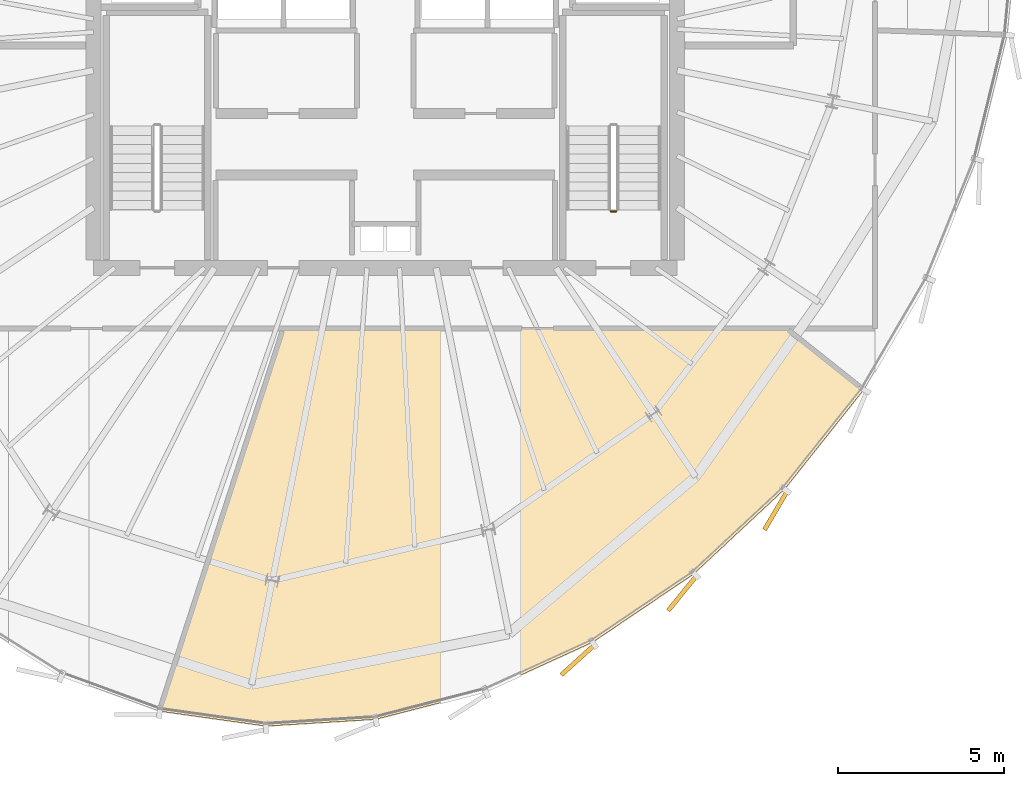
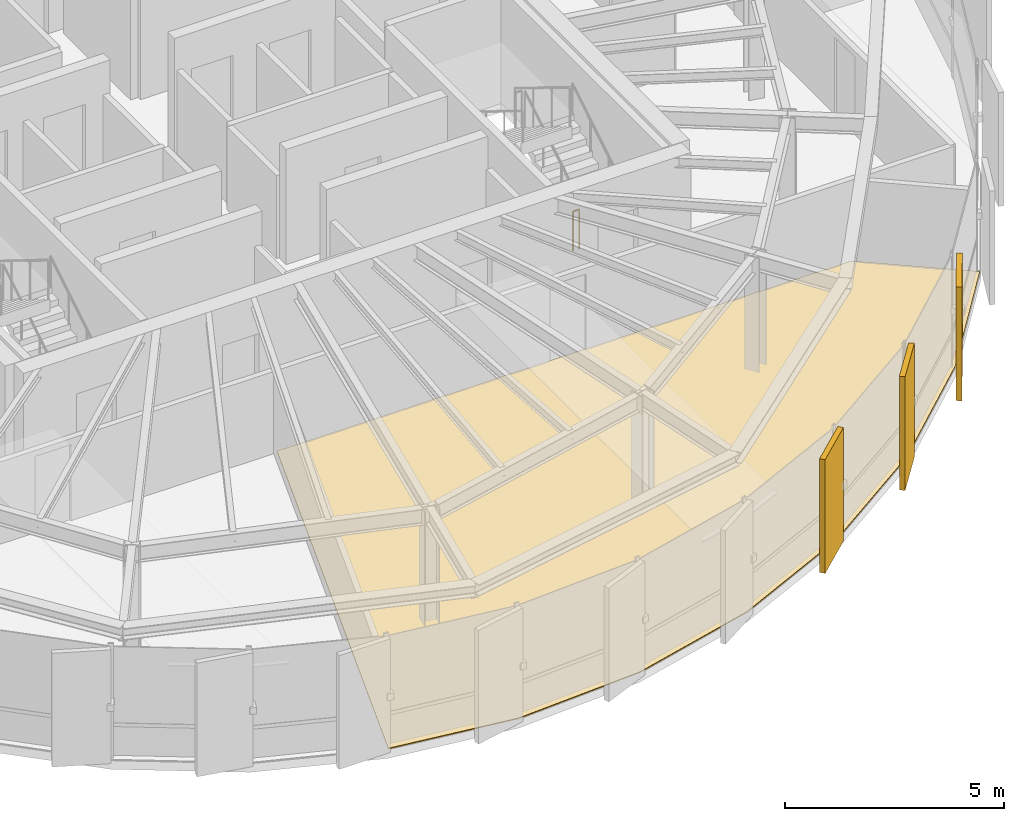
# One storey, part 29 of 31: 4 coverings, 1 railing.
"""IFC4 building model written with IfcOpenShell, lengths in metres."""

from ifc_helpers import new_model, si_unit, direction, frame, origin, origin_2d, place, context, subcontext, project, spatial, polyline, rectangle, circle, outline, extrude, source, transform, mapped, material, layer, layer_set, type_object, element, save


model = new_model("IFC4")

# Units and contexts
model_context = context("Model", 3, precision=1e-05, world=origin(), true_north=direction((0.0, 1.0)))
body_context = subcontext(model_context, "Body", "Model", "MODEL_VIEW")
ifc_project = project(units=[si_unit("LENGTHUNIT", "METRE"), si_unit("AREAUNIT", "SQUARE_METRE"), si_unit("VOLUMEUNIT", "CUBIC_METRE"), si_unit("PLANEANGLEUNIT", "RADIAN"), si_unit("MASSUNIT", "GRAM", prefix="KILO"), si_unit("THERMODYNAMICTEMPERATUREUNIT", "KELVIN")], contexts=[model_context])

# Site, building, storey
site_placement = place(None, origin())
site = spatial("IfcSite", under=ifc_project, at=site_placement, CompositionType="ELEMENT")
building_placement = place(site_placement, origin())
building = spatial("IfcBuilding", under=site, at=building_placement, Name="Kethvar Cultural Tower", CompositionType="ELEMENT")
storey_placement = place(building_placement, frame((0.0, 0.0, 290.5)))
storey = spatial("IfcBuildingStorey", under=building, at=storey_placement, Name="L77", CompositionType="ELEMENT", Elevation=290.5)

# Covering
ifc_material_1 = material(Name="Architectural Oak Timber", Category="wood")
ifc_layer_1 = layer(ifc_material_1, 0.02490234375, Name="Architectural Oak Timber", Category="wood")
ifc_layer_set_1 = layer_set([ifc_layer_1], Name="Architectural Oak Timber (25 mm)")
covering_type_1 = type_object("IfcCoveringType", Name="CV-OAK-FLOOR", PredefinedType="FLOORING", material=ifc_layer_set_1)
covering_placement = place(storey_placement, origin())
element("IfcCovering", 1, at=covering_placement, inside=storey, type_object=covering_type_1, Name="L77 Room 02 Floor Finish", PredefinedType="FLOORING", context=body_context, shape_type="SweptSolid", body=[
    extrude(outline(polyline([(58.839111328125, 13.427734375), (56.0859375, 10.8623046875), (53.05078125, 8.811767578125), (49.825927734375, 7.33837890625), (46.509521484375, 6.486572265625), (43.201904296875, 6.282470703125), (40.025390625, 6.72900390625), (43.74072265625, 18.2490234375), (58.887939453125, 18.2490234375), (61.214599609375, 16.41552734375), (58.839111328125, 13.427734375)])), origin(), (0.0, 0.0, 1.0), 0.02490234375),
])

# Railing
ifc_material_2 = material(Name="Steel S355J2", Category="steel")
railing_type = type_object("IfcRailingType", Name="RL-STAIR-GUARD", PredefinedType="BALUSTRADE", material=ifc_material_2)
railing_placement = place(storey_placement, frame((53.760009765625, 21.800048828125, 0.0)))
element("IfcRailing", 2, at=railing_placement, inside=storey, type_object=railing_type, Name="L77 ST-02 stair guard 4", PredefinedType="BALUSTRADE", context=body_context, shape_type="SweptSolid", body=[
    extrude(circle(Radius=0.02392578125, at=origin_2d()), frame((0.0, 0.0, 1.09619140625), z_axis=(-1.0, 0.0, 0.0), x_axis=(0.0, -1.0, 0.0)), (0.0, 0.0, 1.0), 0.159912109375),
    extrude(circle(Radius=0.02099609375, at=origin_2d()), origin(), (0.0, 0.0, 1.0), 1.072021484375),
    extrude(circle(Radius=0.02099609375, at=origin_2d()), frame((-0.159912109375, 0.0, 0.0)), (0.0, 0.0, 1.0), 1.072021484375),
])

# Coverings
ifc_material_3 = material(Name="Extruded Architectural Terracotta", Category="masonry")
ifc_layer_2 = layer(ifc_material_3, 0.135009765625, Name="Extruded Architectural Terracotta", Category="masonry")
ifc_layer_set_2 = layer_set([ifc_layer_2], Name="Extruded Architectural Terracotta (135 mm)")
covering_type_2 = type_object("IfcCoveringType", Name="Terracotta Facade Fin FIN-03", PredefinedType="CLADDING", material=ifc_layer_set_2)
shared_shape = source(origin(), body_context, "Body", "SweptSolid", [
    extrude(rectangle(XDim=1.35009765625, YDim=0.135009765625, at=origin_2d()), origin(), (0.0, 0.0, 1.0), 3.169921875),
])
for number, where, z_axis, x_axis, name in (
    (3, (52.604248046875, 8.27587890625, 0.02001953125), (0.0, 0.0, 1.0), (-0.742677503127, -0.669649256215, 0.0), "L77 Vertical Terracotta Fin 4.6"),
    (4, (55.754150390625, 10.2880859375, 0.02001953125), (0.0, 0.0, 1.0), (-0.62959162782, -0.776926239858, 0.0), "L77 Vertical Terracotta Fin 5.1"),
    (5, (58.57373046875, 12.78271484375, 0.02001953125), (0.0, 0.0, 1.0), (-0.507387972573, -0.861717729473, 0.0), "L77 Vertical Terracotta Fin 5.2"),
):
    element("IfcCovering", number, at=place(storey_placement, frame(where, z_axis=z_axis, x_axis=x_axis)), inside=storey, type_object=covering_type_2, Name=name, PredefinedType="CLADDING", context=body_context, shape_type="MappedRepresentation", body=[
        mapped(shared_shape, transform((0.0, 0.0, 0.0), scale=1.0)),
    ])

save(model, "model.ifc")
